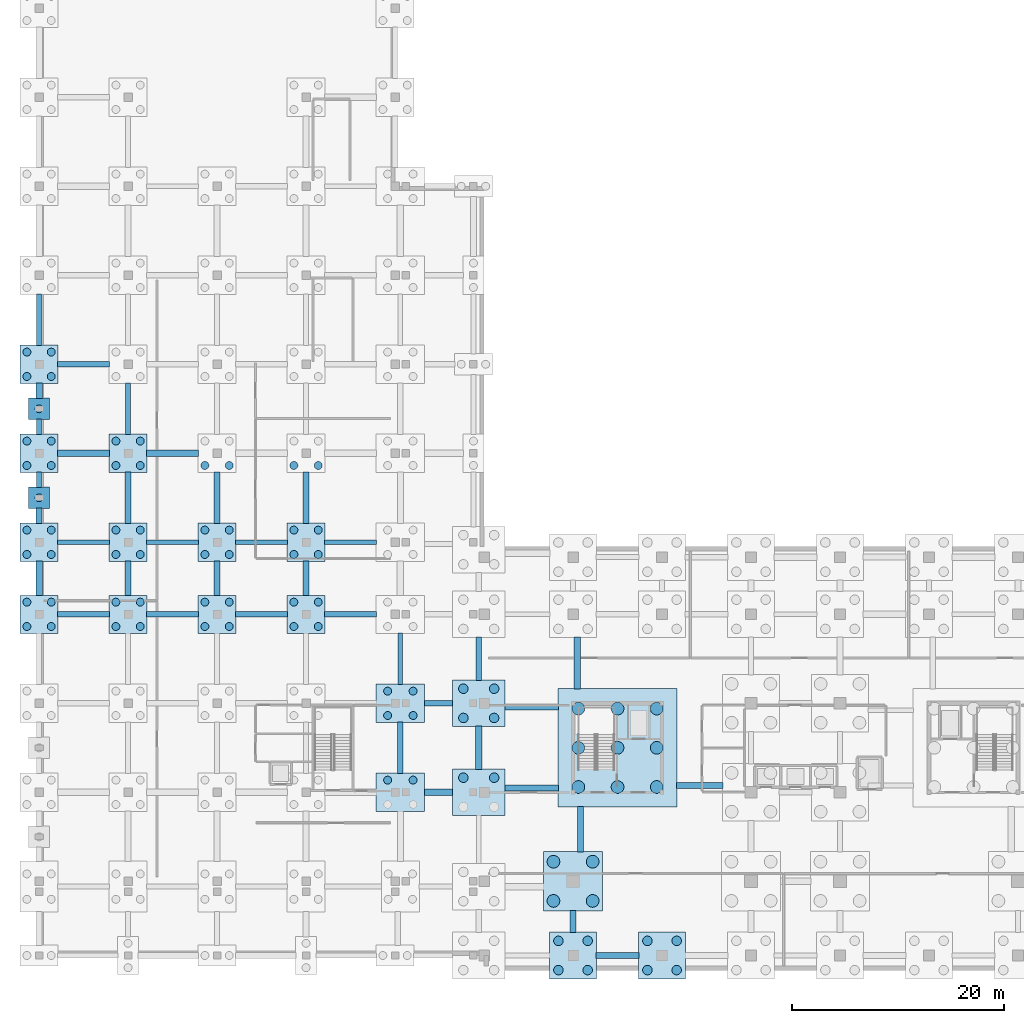
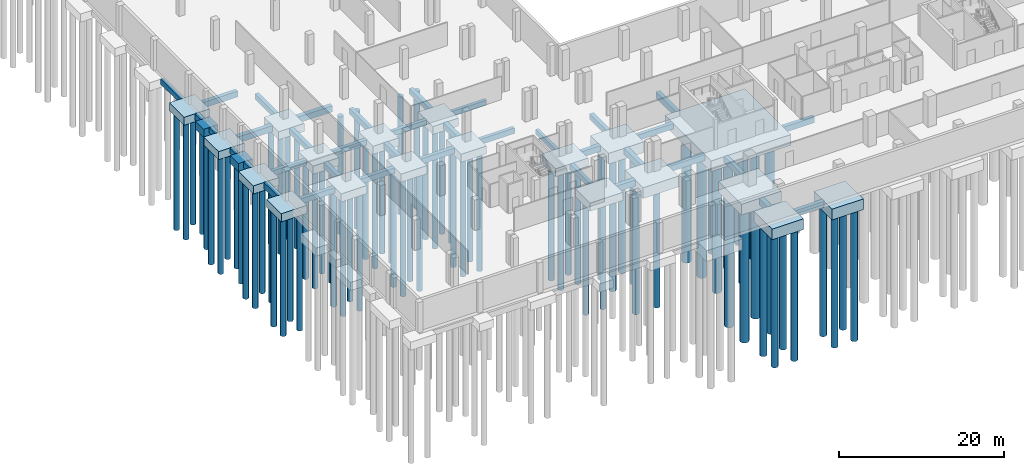
# One storey, part 2 of 17: 83 piles, 58 footings.
"""IFC4 building model written with IfcOpenShell, lengths in metres."""

from ifc_helpers import new_model, si_unit, direction, frame, origin, origin_2d, place, context, subcontext, project, spatial, rectangle, circle, extrude, material, material_profile, profile_set, type_object, element, save


model = new_model("IFC4")

# Units and contexts
model_context = context("Model", 3, precision=1e-05, world=origin(), true_north=direction((0.0, 1.0)))
body_context = subcontext(model_context, "Body", "Model", "MODEL_VIEW")
ifc_project = project(units=[si_unit("LENGTHUNIT", "METRE"), si_unit("AREAUNIT", "SQUARE_METRE"), si_unit("VOLUMEUNIT", "CUBIC_METRE"), si_unit("PLANEANGLEUNIT", "RADIAN"), si_unit("MASSUNIT", "GRAM", prefix="KILO")], contexts=[model_context])

# Site, building, storey
site_placement = place(None, origin())
site = spatial("IfcSite", under=ifc_project, at=site_placement, CompositionType="ELEMENT")
building_placement = place(site_placement, origin())
building = spatial("IfcBuilding", under=site, at=building_placement, Name="Telukmera Botanical Conservatory", CompositionType="ELEMENT")
storey_placement = place(building_placement, frame((0.0, 0.0, -4.5)))
storey = spatial("IfcBuildingStorey", under=building, at=storey_placement, Name="B1", CompositionType="ELEMENT", Elevation=-4.5)

# Footings
ifc_material_1 = material(Name="Concrete C50/60", Category="concrete")
footing_type_1 = type_object("IfcFootingType", Name="Cap_PC1", PredefinedType="PILE_CAP", material=ifc_material_1)
for number, where, z_axis, x_axis, name in (
    (1, (8.39990234375, 53.800048828125, -1.64990234375), (0.0, 0.0, 1.0), (1.0, 0.0, 0.0), "Pile Cap G134"),
    (2, (8.39990234375, 62.199951171875, -1.64990234375), (0.0, 0.0, 1.0), (1.0, 0.0, 0.0), "Pile Cap G135"),
):
    element("IfcFooting", number, at=place(storey_placement, frame(where, z_axis=z_axis, x_axis=x_axis)), inside=storey, type_object=footing_type_1, Name=name, PredefinedType="PILE_CAP", context=body_context, shape_type="SweptSolid", body=[
        extrude(rectangle(XDim=2.0, YDim=2.0, at=origin_2d()), origin(), (0.0, 0.0, 1.0), 1.199951171875),
    ])
footing_type_2 = type_object("IfcFootingType", Name="Cap_PC10", PredefinedType="PILE_CAP", material=ifc_material_1)
footing_1_placement = place(storey_placement, frame((58.800048828125, 17.60009765625, -2.050048828125), z_axis=(0.0, 0.0, 1.0), x_axis=(1.0, 0.0, 0.0)))
element("IfcFooting", 3, at=footing_1_placement, inside=storey, type_object=footing_type_2, Name="Pile Cap G008", PredefinedType="PILE_CAP", context=body_context, shape_type="SweptSolid", body=[
    extrude(rectangle(XDim=5.60009765625, YDim=5.60009765625, at=origin_2d()), origin(), (0.0, 0.0, 1.0), 1.60009765625),
])
footing_type_3 = type_object("IfcFootingType", Name="Cap_PC11", PredefinedType="PILE_CAP", material=ifc_material_1)
footing_2_placement = place(storey_placement, frame((63.0, 30.199951171875, -2.050048828125), z_axis=(0.0, 0.0, 1.0), x_axis=(1.0, 0.0, 0.0)))
element("IfcFooting", 4, at=footing_2_placement, inside=storey, type_object=footing_type_3, Name="Core Pile Cap Mat CORE_C1", PredefinedType="PILE_CAP", context=body_context, shape_type="SweptSolid", body=[
    extrude(rectangle(XDim=11.199951171875, YDim=11.199951171875, at=origin_2d()), origin(), (0.0, 0.0, 1.0), 1.60009765625),
])
footing_type_4 = type_object("IfcFootingType", Name="Cap_PC4", PredefinedType="PILE_CAP", material=ifc_material_1)
for number, where, z_axis, x_axis, name in (
    (5, (8.39990234375, 42.800048828125, -1.64990234375), (0.0, 0.0, 1.0), (1.0, 0.0, 0.0), "Pile Cap G095"),
    (6, (8.39990234375, 49.60009765625, -1.64990234375), (0.0, 0.0, 1.0), (1.0, 0.0, 0.0), "Pile Cap G096"),
    (7, (8.39990234375, 58.0, -1.64990234375), (0.0, 0.0, 1.0), (1.0, 0.0, 0.0), "Pile Cap G097"),
    (8, (8.39990234375, 66.39990234375, -1.64990234375), (0.0, 0.0, 1.0), (1.0, 0.0, 0.0), "Pile Cap G098"),
    (9, (16.800048828125, 42.800048828125, -1.64990234375), (0.0, 0.0, 1.0), (1.0, 0.0, 0.0), "Pile Cap G103"),
    (10, (16.800048828125, 49.60009765625, -1.64990234375), (0.0, 0.0, 1.0), (1.0, 0.0, 0.0), "Pile Cap G104"),
    (11, (16.800048828125, 58.0, -1.64990234375), (0.0, 0.0, 1.0), (1.0, 0.0, 0.0), "Pile Cap G105"),
    (12, (25.199951171875, 42.800048828125, -1.64990234375), (0.0, 0.0, 1.0), (1.0, 0.0, 0.0), "Pile Cap G111"),
    (13, (25.199951171875, 49.60009765625, -1.64990234375), (0.0, 0.0, 1.0), (1.0, 0.0, 0.0), "Pile Cap G112"),
    (14, (33.60009765625, 42.800048828125, -1.64990234375), (0.0, 0.0, 1.0), (1.0, 0.0, 0.0), "Pile Cap G119"),
    (15, (33.60009765625, 49.60009765625, -1.64990234375), (0.0, 0.0, 1.0), (1.0, 0.0, 0.0), "Pile Cap G120"),
):
    element("IfcFooting", number, at=place(storey_placement, frame(where, z_axis=z_axis, x_axis=x_axis)), inside=storey, type_object=footing_type_4, Name=name, PredefinedType="PILE_CAP", context=body_context, shape_type="SweptSolid", body=[
        extrude(rectangle(XDim=3.60009765625, YDim=3.60009765625, at=origin_2d()), origin(), (0.0, 0.0, 1.0), 1.199951171875),
    ])
footing_type_5 = type_object("IfcFootingType", Name="Cap_PC5", PredefinedType="PILE_CAP", material=ifc_material_1)
for number, where, z_axis, x_axis, name in (
    (16, (42.5, 26.0, -1.64990234375), (0.0, 0.0, 1.0), (1.0, 0.0, 0.0), "Pile Cap G125"),
    (17, (42.5, 34.39990234375, -1.64990234375), (0.0, 0.0, 1.0), (1.0, 0.0, 0.0), "Pile Cap G126"),
):
    element("IfcFooting", number, at=place(storey_placement, frame(where, z_axis=z_axis, x_axis=x_axis)), inside=storey, type_object=footing_type_5, Name=name, PredefinedType="PILE_CAP", context=body_context, shape_type="SweptSolid", body=[
        extrude(rectangle(XDim=4.60009765625, YDim=3.60009765625, at=origin_2d()), origin(), (0.0, 0.0, 1.0), 1.199951171875),
    ])
footing_type_6 = type_object("IfcFootingType", Name="Cap_PC7", PredefinedType="PILE_CAP", material=ifc_material_1)
for number, where, z_axis, x_axis, name in (
    (18, (58.800048828125, 10.60009765625, -2.050048828125), (0.0, 0.0, 1.0), (1.0, 0.0, 0.0), "Pile Cap G007"),
    (19, (67.199951171875, 10.60009765625, -2.050048828125), (0.0, 0.0, 1.0), (1.0, 0.0, 0.0), "Pile Cap G011"),
):
    element("IfcFooting", number, at=place(storey_placement, frame(where, z_axis=z_axis, x_axis=x_axis)), inside=storey, type_object=footing_type_6, Name=name, PredefinedType="PILE_CAP", context=body_context, shape_type="SweptSolid", body=[
        extrude(rectangle(XDim=4.39990234375, YDim=4.39990234375, at=origin_2d()), origin(), (0.0, 0.0, 1.0), 1.60009765625),
    ])
footing_type_7 = type_object("IfcFootingType", Name="Cap_PC8", PredefinedType="PILE_CAP", material=ifc_material_1)
for number, where, z_axis, x_axis, name in (
    (20, (49.89990234375, 26.0, -2.050048828125), (0.0, 0.0, 1.0), (1.0, 0.0, 0.0), "Pile Cap G003"),
    (21, (49.89990234375, 34.39990234375, -2.050048828125), (0.0, 0.0, 1.0), (1.0, 0.0, 0.0), "Pile Cap G004"),
):
    element("IfcFooting", number, at=place(storey_placement, frame(where, z_axis=z_axis, x_axis=x_axis)), inside=storey, type_object=footing_type_7, Name=name, PredefinedType="PILE_CAP", context=body_context, shape_type="SweptSolid", body=[
        extrude(rectangle(XDim=5.0, YDim=4.39990234375, at=origin_2d()), origin(), (0.0, 0.0, 1.0), 1.60009765625),
    ])
ifc_material_2 = material(Name="Concrete C40/50", Category="concrete")
ifc_material_profile_1 = material_profile(ifc_material_2, rectangle(XDim=0.60009765625, YDim=0.89990234375, at=origin_2d()), Name="RC 600x900")
ifc_profile_set_1 = profile_set([ifc_material_profile_1], Name="Concrete C40/50")
footing_type_8 = type_object("IfcFootingType", Name="GroundBeam_GB1", PredefinedType="FOOTING_BEAM", material=ifc_profile_set_1)
footing_3_placement = place(storey_placement, frame((10.159912109375, 58.0, -0.89990234375), z_axis=(1.0, 0.0, 0.0), x_axis=(0.0, 1.0, 0.0)))
element("IfcFooting", 22, at=footing_3_placement, inside=storey, type_object=footing_type_8, Name="Ground Tie Beam GBX-084", PredefinedType="FOOTING_BEAM", context=body_context, shape_type="SweptSolid", body=[
    extrude(rectangle(XDim=0.60009765625, YDim=0.89990234375, at=origin_2d()), origin(), (0.0, 0.0, 1.0), 4.880126953125),
])
footing_4_placement = place(storey_placement, frame((18.56005859375, 58.0, -0.89990234375), z_axis=(1.0, 0.0, 0.0), x_axis=(0.0, 1.0, 0.0)))
element("IfcFooting", 23, at=footing_4_placement, inside=storey, type_object=footing_type_8, Name="Ground Tie Beam GBX-092", PredefinedType="FOOTING_BEAM", context=body_context, shape_type="SweptSolid", body=[
    extrude(rectangle(XDim=0.60009765625, YDim=0.89990234375, at=origin_2d()), origin(), (0.0, 0.0, 1.0), 4.8798828125),
])
footing_5_placement = place(storey_placement, frame((44.760009765625, 26.0, -0.89990234375), z_axis=(1.0, 0.0, 0.0), x_axis=(0.0, 1.0, 0.0)))
element("IfcFooting", 24, at=footing_5_placement, inside=storey, type_object=footing_type_8, Name="Ground Tie Beam GBX-112", PredefinedType="FOOTING_BEAM", context=body_context, shape_type="SweptSolid", body=[
    extrude(rectangle(XDim=0.60009765625, YDim=0.89990234375, at=origin_2d()), origin(), (0.0, 0.0, 1.0), 2.679931640625),
])
footing_6_placement = place(storey_placement, frame((59.199951171875, 35.760009765625, -0.89990234375), z_axis=(0.0, 1.0, 0.0), x_axis=(-1.0, 0.0, 0.0)))
element("IfcFooting", 25, at=footing_6_placement, inside=storey, type_object=footing_type_8, Name="Ground Tie Beam GBY-124", PredefinedType="FOOTING_BEAM", context=body_context, shape_type="SweptSolid", body=[
    extrude(rectangle(XDim=0.60009765625, YDim=0.89990234375, at=origin_2d()), origin(), (0.0, 0.0, 1.0), 4.8798828125),
])
footing_7_placement = place(storey_placement, frame((49.89990234375, 28.159912109375, -0.89990234375), z_axis=(0.0, 1.0, 0.0), x_axis=(-1.0, 0.0, 0.0)))
element("IfcFooting", 26, at=footing_7_placement, inside=storey, type_object=footing_type_8, Name="Ground Tie Beam GBY-128", PredefinedType="FOOTING_BEAM", context=body_context, shape_type="SweptSolid", body=[
    extrude(rectangle(XDim=0.60009765625, YDim=0.89990234375, at=origin_2d()), origin(), (0.0, 0.0, 1.0), 4.080078125),
])
footing_8_placement = place(storey_placement, frame((58.800048828125, 12.760009765625, -0.89990234375), z_axis=(0.0, 1.0, 0.0), x_axis=(-1.0, 0.0, 0.0)))
element("IfcFooting", 27, at=footing_8_placement, inside=storey, type_object=footing_type_8, Name="Ground Tie Beam GBY-132", PredefinedType="FOOTING_BEAM", context=body_context, shape_type="SweptSolid", body=[
    extrude(rectangle(XDim=0.60009765625, YDim=0.89990234375, at=origin_2d()), origin(), (0.0, 0.0, 1.0), 2.080078125),
])
for number, where, z_axis, x_axis, name in (
    (28, (8.39990234375, 44.56005859375, -0.89990234375), (0.0, 1.0, 0.0), (-1.0, 0.0, 0.0), "Ground Tie Beam GBY-196"),
    (29, (16.800048828125, 44.56005859375, -0.89990234375), (0.0, 1.0, 0.0), (-1.0, 0.0, 0.0), "Ground Tie Beam GBY-204"),
    (30, (25.199951171875, 44.56005859375, -0.89990234375), (0.0, 1.0, 0.0), (-1.0, 0.0, 0.0), "Ground Tie Beam GBY-212"),
    (31, (33.60009765625, 44.56005859375, -0.89990234375), (0.0, 1.0, 0.0), (-1.0, 0.0, 0.0), "Ground Tie Beam GBY-220"),
):
    element("IfcFooting", number, at=place(storey_placement, frame(where, z_axis=z_axis, x_axis=x_axis)), inside=storey, type_object=footing_type_8, Name=name, PredefinedType="FOOTING_BEAM", context=body_context, shape_type="SweptSolid", body=[
        extrude(rectangle(XDim=0.60009765625, YDim=0.89990234375, at=origin_2d()), origin(), (0.0, 0.0, 1.0), 3.280029296875),
    ])
footing_9_placement = place(storey_placement, frame((8.39990234375, 63.159912109375, -0.89990234375), z_axis=(0.0, 1.0, 0.0), x_axis=(-1.0, 0.0, 0.0)))
element("IfcFooting", 32, at=footing_9_placement, inside=storey, type_object=footing_type_8, Name="Ground Tie Beam GBY-236", PredefinedType="FOOTING_BEAM", context=body_context, shape_type="SweptSolid", body=[
    extrude(rectangle(XDim=0.60009765625, YDim=0.89990234375, at=origin_2d()), origin(), (0.0, 0.0, 1.0), 1.47998046875),
])
ifc_material_profile_2 = material_profile(ifc_material_2, rectangle(XDim=0.550048828125, YDim=0.85009765625, at=origin_2d()), Name="RC 550x850")
ifc_profile_set_2 = profile_set([ifc_material_profile_2], Name="Concrete C40/50")
footing_type_9 = type_object("IfcFootingType", Name="GroundBeam_GB2", PredefinedType="FOOTING_BEAM", material=ifc_profile_set_2)
footing_10_placement = place(storey_placement, frame((68.56005859375, 26.64990234375, -0.875), z_axis=(1.0, 0.0, 0.0), x_axis=(0.0, 1.0, 0.0)))
element("IfcFooting", 33, at=footing_10_placement, inside=storey, type_object=footing_type_9, Name="Ground Tie Beam GBX-001", PredefinedType="FOOTING_BEAM", context=body_context, shape_type="SweptSolid", body=[
    extrude(rectangle(XDim=0.550048828125, YDim=0.85009765625, at=origin_2d()), origin(), (0.0, 0.0, 1.0), 4.3798828125),
])
footing_11_placement = place(storey_placement, frame((52.360107421875, 26.39990234375, -0.875), z_axis=(1.0, 0.0, 0.0), x_axis=(0.0, 1.0, 0.0)))
element("IfcFooting", 34, at=footing_11_placement, inside=storey, type_object=footing_type_9, Name="Ground Tie Beam GBX-005", PredefinedType="FOOTING_BEAM", context=body_context, shape_type="SweptSolid", body=[
    extrude(rectangle(XDim=0.550048828125, YDim=0.85009765625, at=origin_2d()), origin(), (0.0, 0.0, 1.0), 5.079833984375),
])
footing_12_placement = place(storey_placement, frame((60.9599609375, 10.60009765625, -0.875), z_axis=(1.0, 0.0, 0.0), x_axis=(0.0, 1.0, 0.0)))
element("IfcFooting", 35, at=footing_12_placement, inside=storey, type_object=footing_type_9, Name="Ground Tie Beam GBX-009", PredefinedType="FOOTING_BEAM", context=body_context, shape_type="SweptSolid", body=[
    extrude(rectangle(XDim=0.550048828125, YDim=0.85009765625, at=origin_2d()), origin(), (0.0, 0.0, 1.0), 4.080078125),
])
footing_13_placement = place(storey_placement, frame((10.159912109375, 66.39990234375, -0.875), z_axis=(1.0, 0.0, 0.0), x_axis=(0.0, 1.0, 0.0)))
element("IfcFooting", 36, at=footing_13_placement, inside=storey, type_object=footing_type_9, Name="Ground Tie Beam GBX-085", PredefinedType="FOOTING_BEAM", context=body_context, shape_type="SweptSolid", body=[
    extrude(rectangle(XDim=0.550048828125, YDim=0.85009765625, at=origin_2d()), origin(), (0.0, 0.0, 1.0), 4.880126953125),
])
footing_14_placement = place(storey_placement, frame((44.760009765625, 34.39990234375, -0.875), z_axis=(1.0, 0.0, 0.0), x_axis=(0.0, 1.0, 0.0)))
element("IfcFooting", 37, at=footing_14_placement, inside=storey, type_object=footing_type_9, Name="Ground Tie Beam GBX-113", PredefinedType="FOOTING_BEAM", context=body_context, shape_type="SweptSolid", body=[
    extrude(rectangle(XDim=0.550048828125, YDim=0.85009765625, at=origin_2d()), origin(), (0.0, 0.0, 1.0), 2.679931640625),
])
footing_15_placement = place(storey_placement, frame((49.89990234375, 36.56005859375, -0.875), z_axis=(0.0, 1.0, 0.0), x_axis=(-1.0, 0.0, 0.0)))
element("IfcFooting", 38, at=footing_15_placement, inside=storey, type_object=footing_type_9, Name="Ground Tie Beam GBY-129", PredefinedType="FOOTING_BEAM", context=body_context, shape_type="SweptSolid", body=[
    extrude(rectangle(XDim=0.550048828125, YDim=0.85009765625, at=origin_2d()), origin(), (0.0, 0.0, 1.0), 4.079833984375),
])
footing_16_placement = place(storey_placement, frame((59.5, 20.360107421875, -0.875), z_axis=(0.0, 1.0, 0.0), x_axis=(-1.0, 0.0, 0.0)))
element("IfcFooting", 39, at=footing_16_placement, inside=storey, type_object=footing_type_9, Name="Ground Tie Beam GBY-133", PredefinedType="FOOTING_BEAM", context=body_context, shape_type="SweptSolid", body=[
    extrude(rectangle(XDim=0.550048828125, YDim=0.85009765625, at=origin_2d()), origin(), (0.0, 0.0, 1.0), 4.27978515625),
])
footing_17_placement = place(storey_placement, frame((8.39990234375, 51.360107421875, -0.875), z_axis=(0.0, 1.0, 0.0), x_axis=(-1.0, 0.0, 0.0)))
element("IfcFooting", 40, at=footing_17_placement, inside=storey, type_object=footing_type_9, Name="Ground Tie Beam GBY-197", PredefinedType="FOOTING_BEAM", context=body_context, shape_type="SweptSolid", body=[
    extrude(rectangle(XDim=0.550048828125, YDim=0.85009765625, at=origin_2d()), origin(), (0.0, 0.0, 1.0), 1.47998046875),
])
for number, where, z_axis, x_axis, name in (
    (41, (16.800048828125, 51.360107421875, -0.875), (0.0, 1.0, 0.0), (-1.0, 0.0, 0.0), "Ground Tie Beam GBY-205"),
    (42, (25.199951171875, 51.360107421875, -0.875), (0.0, 1.0, 0.0), (-1.0, 0.0, 0.0), "Ground Tie Beam GBY-213"),
    (43, (33.60009765625, 51.360107421875, -0.875), (0.0, 1.0, 0.0), (-1.0, 0.0, 0.0), "Ground Tie Beam GBY-221"),
):
    element("IfcFooting", number, at=place(storey_placement, frame(where, z_axis=z_axis, x_axis=x_axis)), inside=storey, type_object=footing_type_9, Name=name, PredefinedType="FOOTING_BEAM", context=body_context, shape_type="SweptSolid", body=[
        extrude(rectangle(XDim=0.550048828125, YDim=0.85009765625, at=origin_2d()), origin(), (0.0, 0.0, 1.0), 4.8798828125),
    ])
ifc_material_profile_3 = material_profile(ifc_material_2, rectangle(XDim=0.5, YDim=0.800048828125, at=origin_2d()), Name="RC 500x800")
ifc_profile_set_3 = profile_set([ifc_material_profile_3], Name="Concrete C40/50")
footing_type_10 = type_object("IfcFootingType", Name="GroundBeam_GB3", PredefinedType="FOOTING_BEAM", material=ifc_profile_set_3)
footing_18_placement = place(storey_placement, frame((52.360107421875, 34.0, -0.85009765625), z_axis=(1.0, 0.0, 0.0), x_axis=(0.0, 1.0, 0.0)))
element("IfcFooting", 44, at=footing_18_placement, inside=storey, type_object=footing_type_10, Name="Ground Tie Beam GBX-006", PredefinedType="FOOTING_BEAM", context=body_context, shape_type="SweptSolid", body=[
    extrude(rectangle(XDim=0.5, YDim=0.800048828125, at=origin_2d()), origin(), (0.0, 0.0, 1.0), 5.079833984375),
])
footing_19_placement = place(storey_placement, frame((10.159912109375, 42.800048828125, -0.85009765625), z_axis=(1.0, 0.0, 0.0), x_axis=(0.0, 1.0, 0.0)))
element("IfcFooting", 45, at=footing_19_placement, inside=storey, type_object=footing_type_10, Name="Ground Tie Beam GBX-082", PredefinedType="FOOTING_BEAM", context=body_context, shape_type="SweptSolid", body=[
    extrude(rectangle(XDim=0.5, YDim=0.800048828125, at=origin_2d()), origin(), (0.0, 0.0, 1.0), 4.880126953125),
])
footing_20_placement = place(storey_placement, frame((18.56005859375, 42.800048828125, -0.85009765625), z_axis=(1.0, 0.0, 0.0), x_axis=(0.0, 1.0, 0.0)))
element("IfcFooting", 46, at=footing_20_placement, inside=storey, type_object=footing_type_10, Name="Ground Tie Beam GBX-090", PredefinedType="FOOTING_BEAM", context=body_context, shape_type="SweptSolid", body=[
    extrude(rectangle(XDim=0.5, YDim=0.800048828125, at=origin_2d()), origin(), (0.0, 0.0, 1.0), 4.8798828125),
])
footing_21_placement = place(storey_placement, frame((26.9599609375, 42.800048828125, -0.85009765625), z_axis=(1.0, 0.0, 0.0), x_axis=(0.0, 1.0, 0.0)))
element("IfcFooting", 47, at=footing_21_placement, inside=storey, type_object=footing_type_10, Name="Ground Tie Beam GBX-098", PredefinedType="FOOTING_BEAM", context=body_context, shape_type="SweptSolid", body=[
    extrude(rectangle(XDim=0.5, YDim=0.800048828125, at=origin_2d()), origin(), (0.0, 0.0, 1.0), 4.880126953125),
])
footing_22_placement = place(storey_placement, frame((35.360107421875, 42.800048828125, -0.85009765625), z_axis=(1.0, 0.0, 0.0), x_axis=(0.0, 1.0, 0.0)))
element("IfcFooting", 48, at=footing_22_placement, inside=storey, type_object=footing_type_10, Name="Ground Tie Beam GBX-106", PredefinedType="FOOTING_BEAM", context=body_context, shape_type="SweptSolid", body=[
    extrude(rectangle(XDim=0.5, YDim=0.800048828125, at=origin_2d()), origin(), (0.0, 0.0, 1.0), 4.8798828125),
])
footing_23_placement = place(storey_placement, frame((8.39990234375, 59.760009765625, -0.85009765625), z_axis=(0.0, 1.0, 0.0), x_axis=(-1.0, 0.0, 0.0)))
element("IfcFooting", 49, at=footing_23_placement, inside=storey, type_object=footing_type_10, Name="Ground Tie Beam GBY-198", PredefinedType="FOOTING_BEAM", context=body_context, shape_type="SweptSolid", body=[
    extrude(rectangle(XDim=0.5, YDim=0.800048828125, at=origin_2d()), origin(), (0.0, 0.0, 1.0), 1.47998046875),
])
for number, where, z_axis, x_axis, name in (
    (50, (16.800048828125, 59.760009765625, -0.85009765625), (0.0, 1.0, 0.0), (-1.0, 0.0, 0.0), "Ground Tie Beam GBY-206"),
    (51, (42.5, 27.760009765625, -0.85009765625), (0.0, 1.0, 0.0), (-1.0, 0.0, 0.0), "Ground Tie Beam GBY-226"),
):
    element("IfcFooting", number, at=place(storey_placement, frame(where, z_axis=z_axis, x_axis=x_axis)), inside=storey, type_object=footing_type_10, Name=name, PredefinedType="FOOTING_BEAM", context=body_context, shape_type="SweptSolid", body=[
        extrude(rectangle(XDim=0.5, YDim=0.800048828125, at=origin_2d()), origin(), (0.0, 0.0, 1.0), 4.8798828125),
    ])
ifc_material_profile_4 = material_profile(ifc_material_2, rectangle(XDim=0.449951171875, YDim=0.75, at=origin_2d()), Name="RC 450x750")
ifc_profile_set_4 = profile_set([ifc_material_profile_4], Name="Concrete C40/50")
footing_type_11 = type_object("IfcFootingType", Name="GroundBeam_GB4", PredefinedType="FOOTING_BEAM", material=ifc_profile_set_4)
footing_24_placement = place(storey_placement, frame((10.159912109375, 49.60009765625, -0.824951171875), z_axis=(1.0, 0.0, 0.0), x_axis=(0.0, 1.0, 0.0)))
element("IfcFooting", 52, at=footing_24_placement, inside=storey, type_object=footing_type_11, Name="Ground Tie Beam GBX-083", PredefinedType="FOOTING_BEAM", context=body_context, shape_type="SweptSolid", body=[
    extrude(rectangle(XDim=0.449951171875, YDim=0.75, at=origin_2d()), origin(), (0.0, 0.0, 1.0), 4.880126953125),
])
footing_25_placement = place(storey_placement, frame((18.56005859375, 49.60009765625, -0.824951171875), z_axis=(1.0, 0.0, 0.0), x_axis=(0.0, 1.0, 0.0)))
element("IfcFooting", 53, at=footing_25_placement, inside=storey, type_object=footing_type_11, Name="Ground Tie Beam GBX-091", PredefinedType="FOOTING_BEAM", context=body_context, shape_type="SweptSolid", body=[
    extrude(rectangle(XDim=0.449951171875, YDim=0.75, at=origin_2d()), origin(), (0.0, 0.0, 1.0), 4.8798828125),
])
footing_26_placement = place(storey_placement, frame((26.9599609375, 49.60009765625, -0.824951171875), z_axis=(1.0, 0.0, 0.0), x_axis=(0.0, 1.0, 0.0)))
element("IfcFooting", 54, at=footing_26_placement, inside=storey, type_object=footing_type_11, Name="Ground Tie Beam GBX-099", PredefinedType="FOOTING_BEAM", context=body_context, shape_type="SweptSolid", body=[
    extrude(rectangle(XDim=0.449951171875, YDim=0.75, at=origin_2d()), origin(), (0.0, 0.0, 1.0), 4.880126953125),
])
footing_27_placement = place(storey_placement, frame((35.360107421875, 49.60009765625, -0.824951171875), z_axis=(1.0, 0.0, 0.0), x_axis=(0.0, 1.0, 0.0)))
element("IfcFooting", 55, at=footing_27_placement, inside=storey, type_object=footing_type_11, Name="Ground Tie Beam GBX-107", PredefinedType="FOOTING_BEAM", context=body_context, shape_type="SweptSolid", body=[
    extrude(rectangle(XDim=0.449951171875, YDim=0.75, at=origin_2d()), origin(), (0.0, 0.0, 1.0), 4.8798828125),
])
for number, where, z_axis, x_axis, name in (
    (56, (8.39990234375, 68.159912109375, -0.824951171875), (0.0, 1.0, 0.0), (-1.0, 0.0, 0.0), "Ground Tie Beam GBY-199"),
    (57, (42.5, 36.159912109375, -0.824951171875), (0.0, 1.0, 0.0), (-1.0, 0.0, 0.0), "Ground Tie Beam GBY-227"),
):
    element("IfcFooting", number, at=place(storey_placement, frame(where, z_axis=z_axis, x_axis=x_axis)), inside=storey, type_object=footing_type_11, Name=name, PredefinedType="FOOTING_BEAM", context=body_context, shape_type="SweptSolid", body=[
        extrude(rectangle(XDim=0.449951171875, YDim=0.75, at=origin_2d()), origin(), (0.0, 0.0, 1.0), 4.880126953125),
    ])
footing_28_placement = place(storey_placement, frame((8.39990234375, 54.760009765625, -0.824951171875), z_axis=(0.0, 1.0, 0.0), x_axis=(-1.0, 0.0, 0.0)))
element("IfcFooting", 58, at=footing_28_placement, inside=storey, type_object=footing_type_11, Name="Ground Tie Beam GBY-235", PredefinedType="FOOTING_BEAM", context=body_context, shape_type="SweptSolid", body=[
    extrude(rectangle(XDim=0.449951171875, YDim=0.75, at=origin_2d()), origin(), (0.0, 0.0, 1.0), 1.47998046875),
])

# Piles
ifc_material_profile_5 = material_profile(ifc_material_2, circle(Radius=0.60009765625, at=origin_2d()), Name="PILE D1200")
ifc_profile_set_5 = profile_set([ifc_material_profile_5], Name="Concrete C40/50")
pile_type_1 = type_object("IfcPileType", Name="Pile_PL1", PredefinedType="BORED", material=ifc_profile_set_5)
for number, where, z_axis, x_axis, name in (
    (59, (59.300048828125, 26.5, -1.949951171875), (0.0, 0.0, -1.0), (1.0, 0.0, 0.0), "Bored Pile CORE_C1-1"),
    (60, (59.300048828125, 30.199951171875, -1.949951171875), (0.0, 0.0, -1.0), (1.0, 0.0, 0.0), "Bored Pile CORE_C1-2"),
    (61, (59.300048828125, 33.89990234375, -1.949951171875), (0.0, 0.0, -1.0), (1.0, 0.0, 0.0), "Bored Pile CORE_C1-3"),
    (62, (63.0, 26.5, -1.949951171875), (0.0, 0.0, -1.0), (1.0, 0.0, 0.0), "Bored Pile CORE_C1-4"),
    (63, (63.0, 30.199951171875, -1.949951171875), (0.0, 0.0, -1.0), (1.0, 0.0, 0.0), "Bored Pile CORE_C1-5"),
    (64, (63.0, 33.89990234375, -1.949951171875), (0.0, 0.0, -1.0), (1.0, 0.0, 0.0), "Bored Pile CORE_C1-6"),
    (65, (66.699951171875, 26.5, -1.949951171875), (0.0, 0.0, -1.0), (1.0, 0.0, 0.0), "Bored Pile CORE_C1-7"),
    (66, (66.699951171875, 30.199951171875, -1.949951171875), (0.0, 0.0, -1.0), (1.0, 0.0, 0.0), "Bored Pile CORE_C1-8"),
    (67, (66.699951171875, 33.89990234375, -1.949951171875), (0.0, 0.0, -1.0), (1.0, 0.0, 0.0), "Bored Pile CORE_C1-9"),
    (68, (56.949951171875, 15.75, -1.949951171875), (0.0, 0.0, -1.0), (1.0, 0.0, 0.0), "Bored Pile G008-1"),
    (69, (60.64990234375, 15.75, -1.949951171875), (0.0, 0.0, -1.0), (1.0, 0.0, 0.0), "Bored Pile G008-2"),
    (70, (56.949951171875, 19.449951171875, -1.949951171875), (0.0, 0.0, -1.0), (1.0, 0.0, 0.0), "Bored Pile G008-3"),
    (71, (60.64990234375, 19.449951171875, -1.949951171875), (0.0, 0.0, -1.0), (1.0, 0.0, 0.0), "Bored Pile G008-4"),
):
    element("IfcPile", number, at=place(storey_placement, frame(where, z_axis=z_axis, x_axis=x_axis)), inside=storey, type_object=pile_type_1, Name=name, PredefinedType="BORED", context=body_context, shape_type="SweptSolid", body=[
        extrude(circle(Radius=0.60009765625, at=origin_2d()), origin(), (0.0, 0.0, 1.0), 19.550048828125),
    ])
ifc_material_profile_6 = material_profile(ifc_material_2, circle(Radius=0.449951171875, at=origin_2d()), Name="PILE D900")
ifc_profile_set_6 = profile_set([ifc_material_profile_6], Name="Concrete C40/50")
pile_type_2 = type_object("IfcPileType", Name="Pile_PL2", PredefinedType="BORED", material=ifc_profile_set_6)
for number, where, z_axis, x_axis, name in (
    (72, (48.449951171875, 27.3798828125, -1.949951171875), (0.0, 0.0, -1.0), (1.0, 0.0, 0.0), "Bored Pile G003-3"),
    (73, (51.35009765625, 27.3798828125, -1.949951171875), (0.0, 0.0, -1.0), (1.0, 0.0, 0.0), "Bored Pile G003-4"),
    (74, (48.449951171875, 33.02001953125, -1.949951171875), (0.0, 0.0, -1.0), (1.0, 0.0, 0.0), "Bored Pile G004-1"),
    (75, (51.35009765625, 33.02001953125, -1.949951171875), (0.0, 0.0, -1.0), (1.0, 0.0, 0.0), "Bored Pile G004-2"),
    (76, (48.449951171875, 35.780029296875, -1.949951171875), (0.0, 0.0, -1.0), (1.0, 0.0, 0.0), "Bored Pile G004-3"),
    (77, (51.35009765625, 35.780029296875, -1.949951171875), (0.0, 0.0, -1.0), (1.0, 0.0, 0.0), "Bored Pile G004-4"),
    (78, (57.419921875, 9.219970703125, -1.949951171875), (0.0, 0.0, -1.0), (1.0, 0.0, 0.0), "Bored Pile G007-1"),
    (79, (60.179931640625, 9.219970703125, -1.949951171875), (0.0, 0.0, -1.0), (1.0, 0.0, 0.0), "Bored Pile G007-2"),
    (80, (57.419921875, 11.97998046875, -1.949951171875), (0.0, 0.0, -1.0), (1.0, 0.0, 0.0), "Bored Pile G007-3"),
    (81, (60.179931640625, 11.97998046875, -1.949951171875), (0.0, 0.0, -1.0), (1.0, 0.0, 0.0), "Bored Pile G007-4"),
    (82, (65.820068359375, 9.219970703125, -1.949951171875), (0.0, 0.0, -1.0), (1.0, 0.0, 0.0), "Bored Pile G011-1"),
    (83, (68.580078125, 9.219970703125, -1.949951171875), (0.0, 0.0, -1.0), (1.0, 0.0, 0.0), "Bored Pile G011-2"),
    (84, (65.820068359375, 11.97998046875, -1.949951171875), (0.0, 0.0, -1.0), (1.0, 0.0, 0.0), "Bored Pile G011-3"),
    (85, (68.580078125, 11.97998046875, -1.949951171875), (0.0, 0.0, -1.0), (1.0, 0.0, 0.0), "Bored Pile G011-4"),
):
    element("IfcPile", number, at=place(storey_placement, frame(where, z_axis=z_axis, x_axis=x_axis)), inside=storey, type_object=pile_type_2, Name=name, PredefinedType="BORED", context=body_context, shape_type="SweptSolid", body=[
        extrude(circle(Radius=0.449951171875, at=origin_2d()), origin(), (0.0, 0.0, 1.0), 19.550048828125),
    ])
ifc_material_profile_7 = material_profile(ifc_material_2, circle(Radius=0.375, at=origin_2d()), Name="PILE D750")
ifc_profile_set_7 = profile_set([ifc_material_profile_7], Name="Concrete C40/50")
pile_type_3 = type_object("IfcPileType", Name="Pile_PL3", PredefinedType="BORED", material=ifc_profile_set_7)
for number, where, z_axis, x_axis, name in (
    (86, (7.25, 41.64990234375, -1.550048828125), (0.0, 0.0, -1.0), (1.0, 0.0, 0.0), "Bored Pile G095-1"),
    (87, (9.550048828125, 41.64990234375, -1.550048828125), (0.0, 0.0, -1.0), (1.0, 0.0, 0.0), "Bored Pile G095-2"),
    (88, (7.25, 43.949951171875, -1.550048828125), (0.0, 0.0, -1.0), (1.0, 0.0, 0.0), "Bored Pile G095-3"),
    (89, (9.550048828125, 43.949951171875, -1.550048828125), (0.0, 0.0, -1.0), (1.0, 0.0, 0.0), "Bored Pile G095-4"),
    (90, (7.25, 48.449951171875, -1.550048828125), (0.0, 0.0, -1.0), (1.0, 0.0, 0.0), "Bored Pile G096-1"),
    (91, (9.550048828125, 48.449951171875, -1.550048828125), (0.0, 0.0, -1.0), (1.0, 0.0, 0.0), "Bored Pile G096-2"),
    (92, (7.25, 50.75, -1.550048828125), (0.0, 0.0, -1.0), (1.0, 0.0, 0.0), "Bored Pile G096-3"),
    (93, (9.550048828125, 50.75, -1.550048828125), (0.0, 0.0, -1.0), (1.0, 0.0, 0.0), "Bored Pile G096-4"),
    (94, (7.25, 56.85009765625, -1.550048828125), (0.0, 0.0, -1.0), (1.0, 0.0, 0.0), "Bored Pile G097-1"),
    (95, (9.550048828125, 56.85009765625, -1.550048828125), (0.0, 0.0, -1.0), (1.0, 0.0, 0.0), "Bored Pile G097-2"),
    (96, (7.25, 59.14990234375, -1.550048828125), (0.0, 0.0, -1.0), (1.0, 0.0, 0.0), "Bored Pile G097-3"),
    (97, (9.550048828125, 59.14990234375, -1.550048828125), (0.0, 0.0, -1.0), (1.0, 0.0, 0.0), "Bored Pile G097-4"),
    (98, (7.25, 65.25, -1.550048828125), (0.0, 0.0, -1.0), (1.0, 0.0, 0.0), "Bored Pile G098-1"),
    (99, (9.550048828125, 65.25, -1.550048828125), (0.0, 0.0, -1.0), (1.0, 0.0, 0.0), "Bored Pile G098-2"),
    (100, (7.25, 67.550048828125, -1.550048828125), (0.0, 0.0, -1.0), (1.0, 0.0, 0.0), "Bored Pile G098-3"),
    (101, (9.550048828125, 67.550048828125, -1.550048828125), (0.0, 0.0, -1.0), (1.0, 0.0, 0.0), "Bored Pile G098-4"),
    (102, (15.64990234375, 41.64990234375, -1.550048828125), (0.0, 0.0, -1.0), (1.0, 0.0, 0.0), "Bored Pile G103-1"),
    (103, (17.949951171875, 41.64990234375, -1.550048828125), (0.0, 0.0, -1.0), (1.0, 0.0, 0.0), "Bored Pile G103-2"),
    (104, (15.64990234375, 43.949951171875, -1.550048828125), (0.0, 0.0, -1.0), (1.0, 0.0, 0.0), "Bored Pile G103-3"),
    (105, (17.949951171875, 43.949951171875, -1.550048828125), (0.0, 0.0, -1.0), (1.0, 0.0, 0.0), "Bored Pile G103-4"),
    (106, (15.64990234375, 48.449951171875, -1.550048828125), (0.0, 0.0, -1.0), (1.0, 0.0, 0.0), "Bored Pile G104-1"),
    (107, (17.949951171875, 48.449951171875, -1.550048828125), (0.0, 0.0, -1.0), (1.0, 0.0, 0.0), "Bored Pile G104-2"),
    (108, (15.64990234375, 50.75, -1.550048828125), (0.0, 0.0, -1.0), (1.0, 0.0, 0.0), "Bored Pile G104-3"),
    (109, (17.949951171875, 50.75, -1.550048828125), (0.0, 0.0, -1.0), (1.0, 0.0, 0.0), "Bored Pile G104-4"),
    (110, (15.64990234375, 56.85009765625, -1.550048828125), (0.0, 0.0, -1.0), (1.0, 0.0, 0.0), "Bored Pile G105-1"),
    (111, (17.949951171875, 56.85009765625, -1.550048828125), (0.0, 0.0, -1.0), (1.0, 0.0, 0.0), "Bored Pile G105-2"),
    (112, (15.64990234375, 59.14990234375, -1.550048828125), (0.0, 0.0, -1.0), (1.0, 0.0, 0.0), "Bored Pile G105-3"),
    (113, (17.949951171875, 59.14990234375, -1.550048828125), (0.0, 0.0, -1.0), (1.0, 0.0, 0.0), "Bored Pile G105-4"),
    (114, (24.050048828125, 41.64990234375, -1.550048828125), (0.0, 0.0, -1.0), (1.0, 0.0, 0.0), "Bored Pile G111-1"),
    (115, (26.35009765625, 41.64990234375, -1.550048828125), (0.0, 0.0, -1.0), (1.0, 0.0, 0.0), "Bored Pile G111-2"),
    (116, (24.050048828125, 43.949951171875, -1.550048828125), (0.0, 0.0, -1.0), (1.0, 0.0, 0.0), "Bored Pile G111-3"),
    (117, (26.35009765625, 43.949951171875, -1.550048828125), (0.0, 0.0, -1.0), (1.0, 0.0, 0.0), "Bored Pile G111-4"),
    (118, (24.050048828125, 48.449951171875, -1.550048828125), (0.0, 0.0, -1.0), (1.0, 0.0, 0.0), "Bored Pile G112-1"),
    (119, (26.35009765625, 48.449951171875, -1.550048828125), (0.0, 0.0, -1.0), (1.0, 0.0, 0.0), "Bored Pile G112-2"),
    (120, (24.050048828125, 50.75, -1.550048828125), (0.0, 0.0, -1.0), (1.0, 0.0, 0.0), "Bored Pile G112-3"),
    (121, (26.35009765625, 50.75, -1.550048828125), (0.0, 0.0, -1.0), (1.0, 0.0, 0.0), "Bored Pile G112-4"),
    (122, (24.050048828125, 56.85009765625, -1.550048828125), (0.0, 0.0, -1.0), (1.0, 0.0, 0.0), "Bored Pile G113-1"),
    (123, (26.35009765625, 56.85009765625, -1.550048828125), (0.0, 0.0, -1.0), (1.0, 0.0, 0.0), "Bored Pile G113-2"),
    (124, (32.449951171875, 41.64990234375, -1.550048828125), (0.0, 0.0, -1.0), (1.0, 0.0, 0.0), "Bored Pile G119-1"),
    (125, (34.75, 41.64990234375, -1.550048828125), (0.0, 0.0, -1.0), (1.0, 0.0, 0.0), "Bored Pile G119-2"),
    (126, (32.449951171875, 43.949951171875, -1.550048828125), (0.0, 0.0, -1.0), (1.0, 0.0, 0.0), "Bored Pile G119-3"),
    (127, (34.75, 43.949951171875, -1.550048828125), (0.0, 0.0, -1.0), (1.0, 0.0, 0.0), "Bored Pile G119-4"),
    (128, (32.449951171875, 48.449951171875, -1.550048828125), (0.0, 0.0, -1.0), (1.0, 0.0, 0.0), "Bored Pile G120-1"),
    (129, (34.75, 48.449951171875, -1.550048828125), (0.0, 0.0, -1.0), (1.0, 0.0, 0.0), "Bored Pile G120-2"),
    (130, (32.449951171875, 50.75, -1.550048828125), (0.0, 0.0, -1.0), (1.0, 0.0, 0.0), "Bored Pile G120-3"),
    (131, (34.75, 50.75, -1.550048828125), (0.0, 0.0, -1.0), (1.0, 0.0, 0.0), "Bored Pile G120-4"),
    (132, (32.449951171875, 56.85009765625, -1.550048828125), (0.0, 0.0, -1.0), (1.0, 0.0, 0.0), "Bored Pile G121-1"),
    (133, (34.75, 56.85009765625, -1.550048828125), (0.0, 0.0, -1.0), (1.0, 0.0, 0.0), "Bored Pile G121-2"),
    (134, (41.300048828125, 27.14990234375, -1.550048828125), (0.0, 0.0, -1.0), (1.0, 0.0, 0.0), "Bored Pile G125-3"),
    (135, (43.699951171875, 27.14990234375, -1.550048828125), (0.0, 0.0, -1.0), (1.0, 0.0, 0.0), "Bored Pile G125-4"),
    (136, (41.300048828125, 33.25, -1.550048828125), (0.0, 0.0, -1.0), (1.0, 0.0, 0.0), "Bored Pile G126-1"),
    (137, (43.699951171875, 33.25, -1.550048828125), (0.0, 0.0, -1.0), (1.0, 0.0, 0.0), "Bored Pile G126-2"),
    (138, (41.300048828125, 35.550048828125, -1.550048828125), (0.0, 0.0, -1.0), (1.0, 0.0, 0.0), "Bored Pile G126-3"),
    (139, (43.699951171875, 35.550048828125, -1.550048828125), (0.0, 0.0, -1.0), (1.0, 0.0, 0.0), "Bored Pile G126-4"),
    (140, (8.39990234375, 53.800048828125, -1.550048828125), (0.0, 0.0, -1.0), (1.0, 0.0, 0.0), "Bored Pile G134-1"),
    (141, (8.39990234375, 62.199951171875, -1.550048828125), (0.0, 0.0, -1.0), (1.0, 0.0, 0.0), "Bored Pile G135-1"),
):
    element("IfcPile", number, at=place(storey_placement, frame(where, z_axis=z_axis, x_axis=x_axis)), inside=storey, type_object=pile_type_3, Name=name, PredefinedType="BORED", context=body_context, shape_type="SweptSolid", body=[
        extrude(circle(Radius=0.375, at=origin_2d()), origin(), (0.0, 0.0, 1.0), 17.449951171875),
    ])

save(model, "model.ifc")
